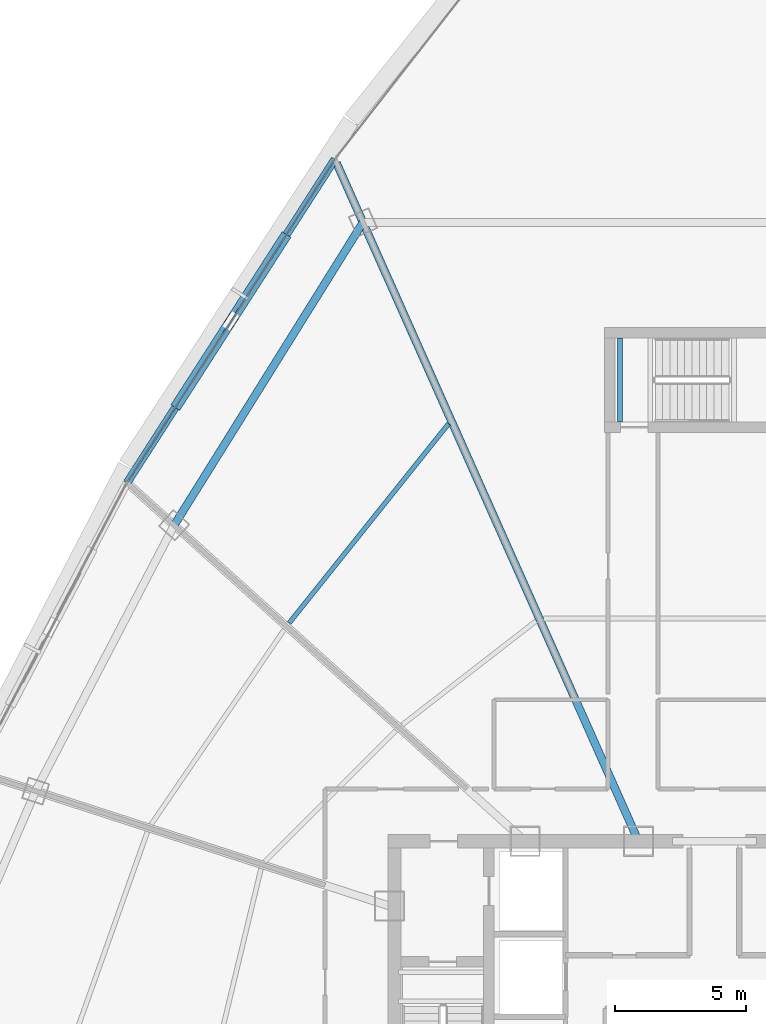
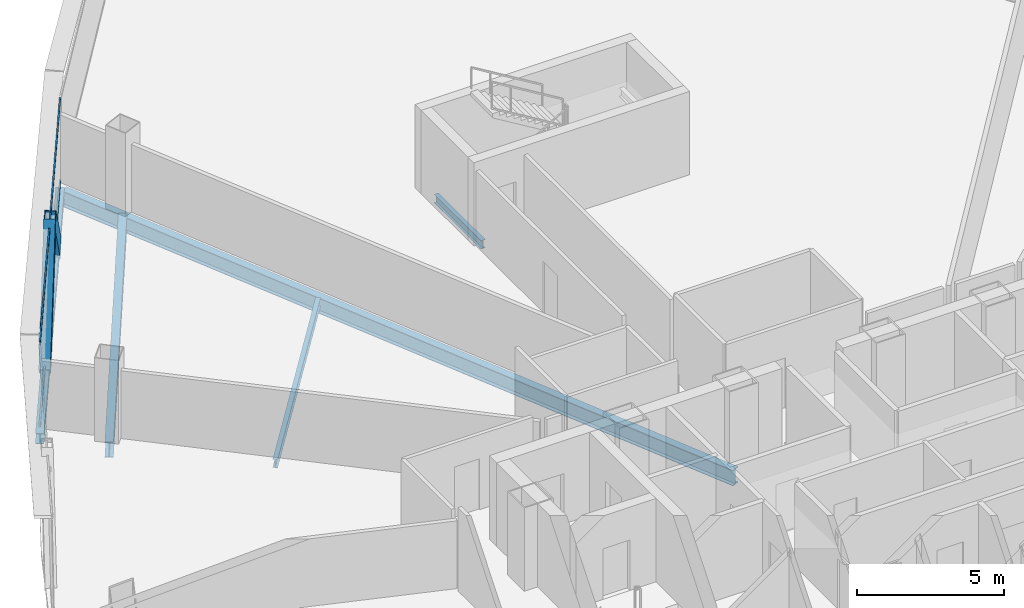
# One storey, part 16 of 36: 5 beams, 4 members, 1 element without a shape of its own.
"""IFC4 building model written with IfcOpenShell, lengths in metres."""

from ifc_helpers import new_model, si_unit, direction, frame, origin, origin_2d, place, context, subcontext, project, spatial, hollow_rectangle, i_section, extrude, source, transform, mapped, material, layer, layer_set, material_profile, profile_set, type_object, element, aggregate, save


model = new_model("IFC4")

# Units and contexts
model_context = context("Model", 3, precision=1e-05, world=origin(), true_north=direction((0.0, 1.0)))
body_context = subcontext(model_context, "Body", "Model", "MODEL_VIEW")
ifc_project = project(units=[si_unit("LENGTHUNIT", "METRE"), si_unit("AREAUNIT", "SQUARE_METRE"), si_unit("VOLUMEUNIT", "CUBIC_METRE"), si_unit("PLANEANGLEUNIT", "RADIAN"), si_unit("MASSUNIT", "GRAM", prefix="KILO"), si_unit("THERMODYNAMICTEMPERATUREUNIT", "KELVIN"), si_unit("POWERUNIT", "WATT")], contexts=[model_context])

# Site, building, storey
site_placement = place(None, origin())
site = spatial("IfcSite", under=ifc_project, at=site_placement, CompositionType="ELEMENT")
building_placement = place(site_placement, origin())
building = spatial("IfcBuilding", under=site, at=building_placement, Name="Yunzhuo Pagoda Commons", CompositionType="ELEMENT")
storey_placement = place(building_placement, frame((0.0, 0.0, 244.530029296875)))
storey = spatial("IfcBuildingStorey", under=building, at=storey_placement, Name="L61", CompositionType="ELEMENT", Elevation=244.530029296875)

# Beams
ifc_material_1 = material(Name="Structural steel Q355B", Category="steel")
ifc_material_profile_1 = material_profile(ifc_material_1, i_section(OverallWidth=0.175048828125, OverallDepth=0.35009765625, WebThickness=0.007080078125, FlangeThickness=0.010986328125, at=origin_2d()), Name="Structural steel Q355B")
ifc_profile_set_1 = profile_set([ifc_material_profile_1], Name="Structural steel Q355B")
beam_type_1 = type_object("IfcBeamType", Name="B-JS2 Joist HN 350x175x7x11", PredefinedType="JOIST", material=ifc_profile_set_1)
shared_shape_1 = source(origin(), body_context, "Body", "SweptSolid", [
    extrude(i_section(OverallWidth=0.175048828125, OverallDepth=0.35009765625, WebThickness=0.007080078125, FlangeThickness=0.010986328125, at=origin_2d()), origin(), (0.0, 0.0, 1.0), 3.199951171875),
])
beam_1_placement = place(storey_placement, frame((44.39990234375, 56.199951171875, -0.375), z_axis=(0.0, 1.0, 0.0), x_axis=(-1.0, 0.0, 0.0)))
element("IfcBeam", 1, at=beam_1_placement, inside=storey, type_object=beam_type_1, Name="L61 ST3 landing support beam 135A", PredefinedType="JOIST", context=body_context, shape_type="MappedRepresentation", body=[
    mapped(shared_shape_1, transform((0.0, 0.0, 0.0), scale=1.0)),
])
ifc_material_profile_2 = material_profile(ifc_material_1, i_section(OverallWidth=0.300048828125, OverallDepth=0.64990234375, WebThickness=0.012939453125, FlangeThickness=0.02197265625, at=origin_2d()), Name="Structural steel Q355B")
ifc_profile_set_2 = profile_set([ifc_material_profile_2], Name="Structural steel Q355B")
beam_type_2 = type_object("IfcBeamType", Name="B-RG2 Beam HN 650x300x13x22", PredefinedType="BEAM", material=ifc_profile_set_2)
shared_shape_2 = source(origin(), body_context, "Body", "SweptSolid", [
    extrude(i_section(OverallWidth=0.300048828125, OverallDepth=0.64990234375, WebThickness=0.012939453125, FlangeThickness=0.02197265625, at=origin_2d()), origin(), (0.0, 0.0, 1.0), 13.615478515625),
])
beam_2_placement = place(storey_placement, frame((34.59326171875, 63.81201171875, -0.5849609375), z_axis=(-0.529178300485, -0.848510651846, 0.0), x_axis=(0.848510651846, -0.529178300485, 0.0)))
element("IfcBeam", 2, at=beam_2_placement, inside=storey, type_object=beam_type_2, Name="L61 column-ring beam 9", PredefinedType="BEAM", context=body_context, shape_type="MappedRepresentation", body=[
    mapped(shared_shape_2, transform((0.0, 0.0, 0.0), scale=1.0)),
])
shared_shape_3 = source(origin(), body_context, "Body", "SweptSolid", [
    extrude(i_section(OverallWidth=0.175048828125, OverallDepth=0.35009765625, WebThickness=0.007080078125, FlangeThickness=0.010986328125, at=origin_2d()), origin(), (0.0, 0.0, 1.0), 9.741455078125),
])
beam_3_placement = place(storey_placement, frame((37.85791015625, 56.1318359375, -0.43505859375), z_axis=(-0.624618636222, -0.780929932378, 0.0), x_axis=(0.780929932378, -0.624618636222, 0.0)))
element("IfcBeam", 3, at=beam_3_placement, inside=storey, type_object=beam_type_1, Name="L61 composite ring joist 2.9", PredefinedType="JOIST", context=body_context, shape_type="MappedRepresentation", body=[
    mapped(shared_shape_3, transform((0.0, 0.0, 0.0), scale=1.0)),
])
shared_shape_4 = source(origin(), body_context, "Body", "SweptSolid", [
    extrude(i_section(OverallWidth=0.300048828125, OverallDepth=0.64990234375, WebThickness=0.012939453125, FlangeThickness=0.02197265625, at=origin_2d()), origin(), (0.0, 0.0, 1.0), 28.330322265625),
])
beam_4_placement = place(storey_placement, frame((33.5830078125, 66.0810546875, -0.5849609375), z_axis=(0.406734861617, -0.913546250797, 0.0), x_axis=(0.913546250797, 0.406734861617, 0.0)))
element("IfcBeam", 4, at=beam_4_placement, inside=storey, type_object=beam_type_2, Name="L61 radial floor girder F3C1", PredefinedType="BEAM", context=body_context, shape_type="MappedRepresentation", body=[
    mapped(shared_shape_4, transform((0.0, 0.0, 0.0), scale=1.0)),
])
ifc_material_profile_3 = material_profile(ifc_material_1, i_section(OverallWidth=0.300048828125, OverallDepth=0.43994140625, WebThickness=0.010986328125, FlangeThickness=0.01806640625, at=origin_2d()), Name="Structural steel Q355B")
ifc_profile_set_3 = profile_set([ifc_material_profile_3], Name="Structural steel Q355B")
beam_type_3 = type_object("IfcBeamType", Name="B-SP2 Beam HM 440x300x11x18", PredefinedType="BEAM", material=ifc_profile_set_3)
shared_shape_5 = source(origin(), body_context, "Body", "SweptSolid", [
    extrude(i_section(OverallWidth=0.300048828125, OverallDepth=0.43994140625, WebThickness=0.010986328125, FlangeThickness=0.01806640625, at=origin_2d()), origin(), (0.0, 0.0, 1.0), 14.671630859375),
])
beam_5_placement = place(storey_placement, frame((33.520263671875, 66.222412109375, -0.47998046875), z_axis=(-0.540624702952, -0.841263888776, 0.0), x_axis=(0.841263888776, -0.540624702952, 0.0)))
element("IfcBeam", 5, at=beam_5_placement, inside=storey, type_object=beam_type_3, Name="L61 facade edge spandrel beam F3.1", PredefinedType="BEAM", context=body_context, shape_type="MappedRepresentation", body=[
    mapped(shared_shape_5, transform((0.0, 0.0, 0.0), scale=1.0)),
])

# Members
ifc_material_profile_4 = material_profile(ifc_material_1, hollow_rectangle(XDim=0.39990234375, YDim=0.719970703125, WallThickness=0.02392578125, at=origin_2d()), Name="Structural steel Q355B")
ifc_profile_set_4 = profile_set([ifc_material_profile_4], Name="Structural steel Q355B")
member_type_1 = type_object("IfcMemberType", Name="M-DL2 Brace BOX 720x400x24", PredefinedType="BRACE", material=ifc_profile_set_4)
shared_shape_6 = source(origin(), body_context, "Body", "SweptSolid", [
    extrude(hollow_rectangle(XDim=0.39990234375, YDim=0.719970703125, WallThickness=0.02392578125, at=origin_2d()), origin(), (0.0, 0.0, 1.0), 5.231201171875),
])
for number, where, z_axis, x_axis, name in (
    (6, (31.537109375, 63.13671875, -0.259765625), (-0.379062057839, -0.589875073754, 0.712993235361), (0.841271456876, -0.540612926081, 0.0), "L61 facade diamond brace F3.1L"),
    (7, (27.5712890625, 56.96533203125, -0.259765625), (0.379062057839, 0.589875073754, 0.712993235361), (-0.841271456876, 0.540612926081, 0.0), "L61 facade diamond brace F3.1R"),
):
    element("IfcMember", number, at=place(storey_placement, frame(where, z_axis=z_axis, x_axis=x_axis)), inside=storey, type_object=member_type_1, Name=name, PredefinedType="BRACE", context=body_context, shape_type="MappedRepresentation", body=[
        mapped(shared_shape_6, transform((0.0, 0.0, 0.0), scale=1.0)),
    ])

# Curtain wall, members
ifc_material_2 = material(Name="Anodized aluminium 6063-T6", Category="aluminium")
ifc_layer = layer(ifc_material_2, 0.139892578125)
ifc_layer_set = layer_set([ifc_layer], Name="Anodized aluminium 6063-T6")
curtain_wall_type = type_object("IfcCurtainWallType", Name="CW-HI High-Zone Ribbon Curtain Wall", PredefinedType="NOTDEFINED", material=ifc_layer_set)
curtain_wall_placement = place(storey_placement, origin())
curtain_wall = element("IfcCurtainWall", 8, at=curtain_wall_placement, inside=storey, type_object=curtain_wall_type, Name="L61 curtain wall CW-L61-F3B2", PredefinedType="NOTDEFINED")
ifc_material_profile_5 = material_profile(ifc_material_2, hollow_rectangle(XDim=0.054931640625, YDim=0.1201171875, WallThickness=0.00341796875, at=origin_2d()), Name="Anodized aluminium 6063-T6")
ifc_profile_set_5 = profile_set([ifc_material_profile_5], Name="Anodized aluminium 6063-T6")
member_type_2 = type_object("IfcMemberType", Name="CW-HI-T Transom RHS 120x55x3.5", PredefinedType="USERDEFINED", material=ifc_profile_set_5)
shared_shape_7 = source(origin(), body_context, "Body", "SweptSolid", [
    extrude(hollow_rectangle(XDim=0.054931640625, YDim=0.1201171875, WallThickness=0.00341796875, at=origin_2d()), origin(), (0.0, 0.0, 1.0), 14.5517578125),
])
member_1_placement = place(storey_placement, frame((33.487548828125, 66.172119140625, 0.027587890625), z_axis=(-0.540605797284, -0.841276037899, 0.0), x_axis=(0.841276037899, -0.540605797284, 0.0)))
member_1 = element("IfcMember", 9, at=member_1_placement, type_object=member_type_2, Name="CW transom 1.1", ObjectType="TRANSOM", PredefinedType="USERDEFINED", context=body_context, shape_type="MappedRepresentation", body=[
    mapped(shared_shape_7, transform((0.0, 0.0, 0.0), scale=1.0)),
])
member_2_placement = place(storey_placement, frame((33.487548828125, 66.172119140625, 3.4423828125), z_axis=(-0.540605797284, -0.841276037899, 0.0), x_axis=(0.841276037899, -0.540605797284, 0.0)))
member_2 = element("IfcMember", 10, at=member_2_placement, type_object=member_type_2, Name="CW transom 1.2", ObjectType="TRANSOM", PredefinedType="USERDEFINED", context=body_context, shape_type="MappedRepresentation", body=[
    mapped(shared_shape_7, transform((0.0, 0.0, 0.0), scale=1.0)),
])
aggregate(curtain_wall, [member_1, member_2])

save(model, "model.ifc")
